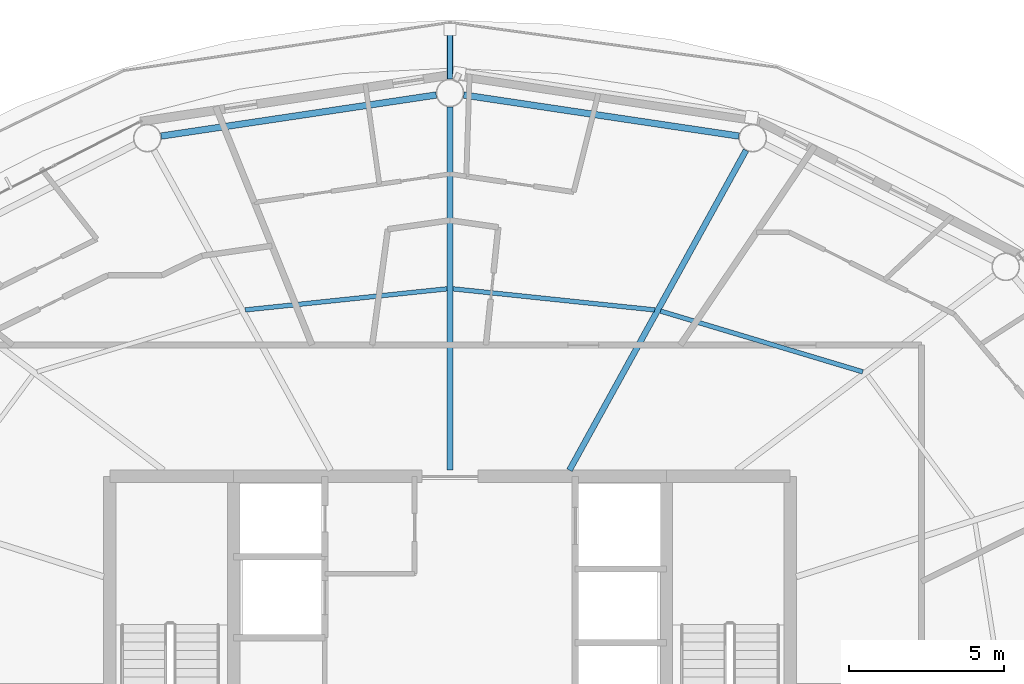
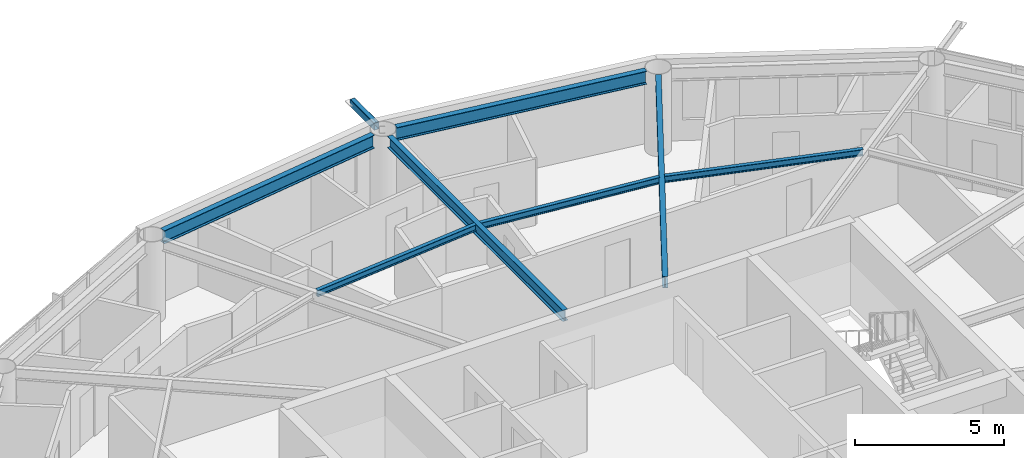
# One storey, part 10 of 23: 7 beams, 1 member.
"""IFC4 building model written with IfcOpenShell, lengths in metres."""

from ifc_helpers import new_model, si_unit, direction, frame, origin, origin_2d, place, context, subcontext, project, spatial, hollow_rectangle, i_section, extrude, material, material_profile, profile_set, type_object, element, save


model = new_model("IFC4")

# Units and contexts
model_context = context("Model", 3, precision=1e-05, world=origin(), true_north=direction((0.0, 1.0)))
body_context = subcontext(model_context, "Body", "Model", "MODEL_VIEW")
ifc_project = project(units=[si_unit("LENGTHUNIT", "METRE"), si_unit("AREAUNIT", "SQUARE_METRE"), si_unit("VOLUMEUNIT", "CUBIC_METRE"), si_unit("PLANEANGLEUNIT", "RADIAN"), si_unit("MASSUNIT", "GRAM", prefix="KILO")], contexts=[model_context])

# Site, building, storey
site_placement = place(None, origin())
site = spatial("IfcSite", under=ifc_project, at=site_placement, CompositionType="ELEMENT")
building_placement = place(site_placement, origin())
building = spatial("IfcBuilding", under=site, at=building_placement, Name="Sarneth Arch Tower", CompositionType="ELEMENT")
storey_placement = place(building_placement, frame((0.0, 0.0, 228.0)))
storey = spatial("IfcBuildingStorey", under=building, at=storey_placement, Name="L58", CompositionType="ELEMENT", Elevation=228.0)

# Beams
ifc_material_1 = material(Name="Steel S355", Category="steel")
ifc_material_profile_1 = material_profile(ifc_material_1, i_section(OverallWidth=0.14794921875, OverallDepth=0.26611328125, WebThickness=0.007568359375, FlangeThickness=0.012939453125, FilletRadius=0.012939453125, at=origin_2d()), Name="W250x44.8")
ifc_profile_set_1 = profile_set([ifc_material_profile_1], Name="Steel S355")
beam_type_1 = type_object("IfcBeamType", Name="BM-JOIST-250", PredefinedType="JOIST", material=ifc_profile_set_1)
beam_1_placement = place(storey_placement, frame((61.35009765625, 52.18017578125, 3.22705078125), z_axis=(-0.957725851155, 0.287682453461, 0.0), x_axis=(-0.287682453461, -0.957725851155, 0.0)))
element("IfcBeam", 1, at=beam_1_placement, inside=storey, type_object=beam_type_1, Name="L58 Secondary floor joist 03", PredefinedType="JOIST", context=body_context, shape_type="SweptSolid", body=[
    extrude(i_section(OverallWidth=0.14794921875, OverallDepth=0.26611328125, WebThickness=0.007568359375, FlangeThickness=0.012939453125, FilletRadius=0.012939453125, at=origin_2d()), origin(), (0.0, 0.0, 1.0), 6.828125),
])
for number, where, z_axis, x_axis, name in (
    (2, (54.623046875, 54.18212890625, 3.22705078125), (-0.994572713015, 0.104043829835, 0.0), (-0.104043829835, -0.994572713015, 0.0), "L58 Secondary floor joist 04"),
    (3, (47.904541015625, 54.864990234375, 3.22705078125), (-0.994572713015, -0.104043829835, 0.0), (0.104043829835, -0.994572713015, 0.0), "L58 Secondary floor joist 05"),
):
    element("IfcBeam", number, at=place(storey_placement, frame(where, z_axis=z_axis, x_axis=x_axis)), inside=storey, type_object=beam_type_1, Name=name, PredefinedType="JOIST", context=body_context, shape_type="SweptSolid", body=[
        extrude(i_section(OverallWidth=0.14794921875, OverallDepth=0.26611328125, WebThickness=0.007568359375, FlangeThickness=0.012939453125, FilletRadius=0.012939453125, at=origin_2d()), origin(), (0.0, 0.0, 1.0), 6.563232421875),
    ])
ifc_material_2 = material(Name="Steel S355", Category="steel")
ifc_material_profile_2 = material_profile(ifc_material_2, i_section(OverallWidth=0.19189453125, OverallDepth=0.462890625, WebThickness=0.010498046875, FlangeThickness=0.017578125, FilletRadius=0.01806640625, at=origin_2d()), Name="W460x89")
ifc_profile_set_2 = profile_set([ifc_material_profile_2], Name="Steel S355")
beam_type_2 = type_object("IfcBeamType", Name="BM-RAD-460B", PredefinedType="BEAM", material=ifc_profile_set_2)
beam_2_placement = place(storey_placement, frame((51.86376953125, 49.0, 3.12841796875), z_axis=(0.483218265038, 0.875499919094, 0.0), x_axis=(-0.875499919094, 0.483218265038, 0.0)))
element("IfcBeam", 4, at=beam_2_placement, inside=storey, type_object=beam_type_2, Name="L58 Radial floor girder 04", PredefinedType="BEAM", context=body_context, shape_type="SweptSolid", body=[
    extrude(i_section(OverallWidth=0.19189453125, OverallDepth=0.462890625, WebThickness=0.010498046875, FlangeThickness=0.017578125, FilletRadius=0.01806640625, at=origin_2d()), origin(), (0.0, 0.0, 1.0), 11.8154296875),
])
beam_3_placement = place(storey_placement, frame((48.0, 49.0, 3.12841796875), z_axis=(0.0, 1.0, 0.0), x_axis=(-1.0, 0.0, 0.0)))
element("IfcBeam", 5, at=beam_3_placement, inside=storey, type_object=beam_type_2, Name="L58 Radial floor girder 05", PredefinedType="BEAM", context=body_context, shape_type="SweptSolid", body=[
    extrude(i_section(OverallWidth=0.19189453125, OverallDepth=0.462890625, WebThickness=0.010498046875, FlangeThickness=0.017578125, FilletRadius=0.01806640625, at=origin_2d()), origin(), (0.0, 0.0, 1.0), 11.75),
])
ifc_material_3 = material(Name="Steel S355", Category="steel")
ifc_material_profile_3 = material_profile(ifc_material_3, i_section(OverallWidth=0.2109375, OverallDepth=0.5390625, WebThickness=0.01171875, FlangeThickness=0.018798828125, FilletRadius=0.01806640625, at=origin_2d()), Name="W530x109")
ifc_profile_set_3 = profile_set([ifc_material_profile_3], Name="Steel S355")
beam_type_3 = type_object("IfcBeamType", Name="BM-RAD-530B", PredefinedType="BEAM", material=ifc_profile_set_3)
for number, where, z_axis, x_axis, name in (
    (6, (57.345703125, 59.804931640625, 3.090576171875), (-0.989041765772, 0.147635990052, 0.0), (-0.147635990052, -0.989041765772, 0.0), "L58 Perimeter spandrel beam 04"),
    (7, (47.554931640625, 61.133544921875, 3.090576171875), (-0.989041765772, -0.147635990052, 0.0), (0.147635990052, -0.989041765772, 0.0), "L58 Perimeter spandrel beam 05"),
):
    element("IfcBeam", number, at=place(storey_placement, frame(where, z_axis=z_axis, x_axis=x_axis)), inside=storey, type_object=beam_type_3, Name=name, PredefinedType="BEAM", context=body_context, shape_type="SweptSolid", body=[
        extrude(i_section(OverallWidth=0.2109375, OverallDepth=0.5390625, WebThickness=0.01171875, FlangeThickness=0.018798828125, FilletRadius=0.01806640625, at=origin_2d()), origin(), (0.0, 0.0, 1.0), 8.999267578125),
    ])

# Member
ifc_material_4 = material(Name="Steel S355", Category="steel")
ifc_material_profile_4 = material_profile(ifc_material_4, hollow_rectangle(XDim=0.199951171875, YDim=0.300048828125, WallThickness=0.012451171875, InnerFilletRadius=0.018798828125, OuterFilletRadius=0.03125, at=origin_2d()), Name="RHS300x200x12.5")
ifc_profile_set_4 = profile_set([ifc_material_profile_4], Name="Steel S355")
member_type = type_object("IfcMemberType", Name="MEM-CANT-STRUT", PredefinedType="STRUT", material=ifc_profile_set_4)
member_placement = place(storey_placement, frame((48.0, 61.64990234375, 3.199951171875), z_axis=(0.0, 1.0, 0.0), x_axis=(-1.0, 0.0, 0.0)))
element("IfcMember", 8, at=member_placement, inside=storey, type_object=member_type, Name="L58 Balcony cantilever bracket 05", PredefinedType="STRUT", context=body_context, shape_type="SweptSolid", body=[
    extrude(hollow_rectangle(XDim=0.199951171875, YDim=0.300048828125, WallThickness=0.012451171875, InnerFilletRadius=0.018798828125, OuterFilletRadius=0.03125, at=origin_2d()), origin(), (0.0, 0.0, 1.0), 1.606201171875),
])

save(model, "model.ifc")
